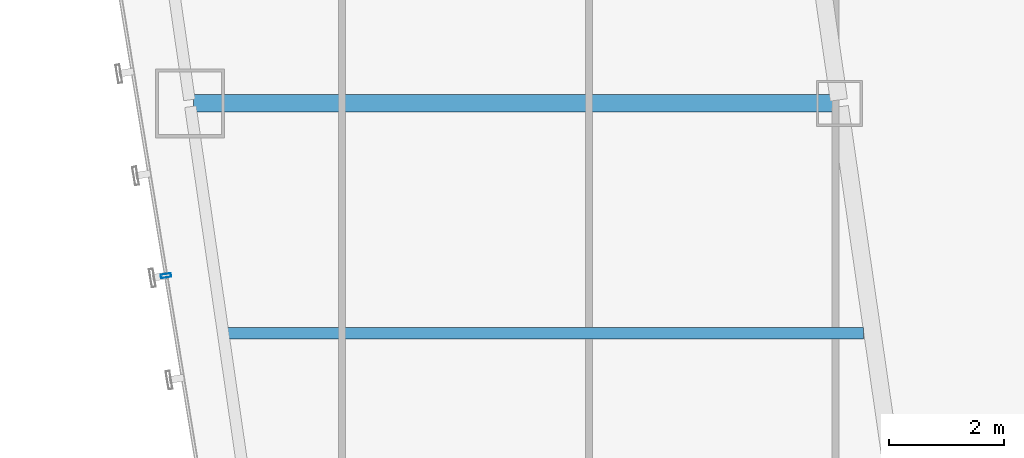
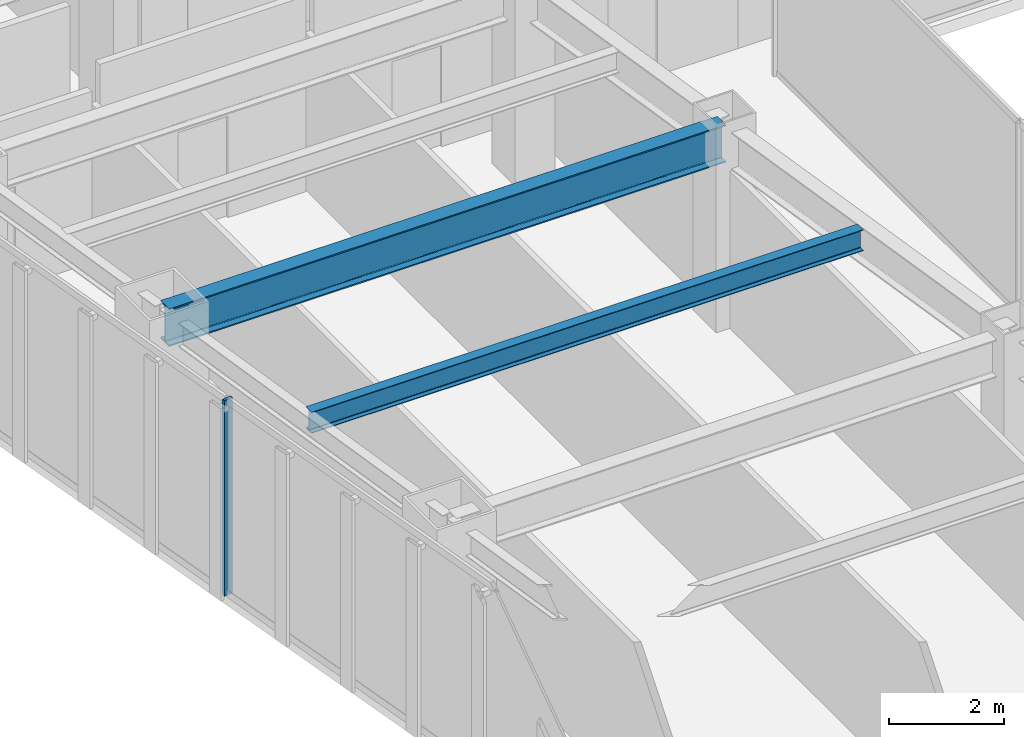
# One storey, part 11 of 47: 2 beams, 1 member, 1 element without a shape of its own.
"""IFC4 building model written with IfcOpenShell, lengths in metres."""

from ifc_helpers import new_model, si_unit, direction, frame, origin, origin_2d, place, context, subcontext, project, spatial, hollow_rectangle, i_section, extrude, material, material_profile, profile_set, type_object, element, aggregate, save


model = new_model("IFC4")

# Units and contexts
model_context = context("Model", 3, precision=1e-05, world=origin(), true_north=direction((0.0, 1.0)))
body_context = subcontext(model_context, "Body", "Model", "MODEL_VIEW")
ifc_project = project(units=[si_unit("LENGTHUNIT", "METRE"), si_unit("AREAUNIT", "SQUARE_METRE"), si_unit("VOLUMEUNIT", "CUBIC_METRE"), si_unit("PLANEANGLEUNIT", "RADIAN"), si_unit("MASSUNIT", "GRAM", prefix="KILO")], contexts=[model_context])

# Site, building, storey
site_placement = place(None, origin())
site = spatial("IfcSite", under=ifc_project, at=site_placement, CompositionType="ELEMENT")
building_placement = place(site_placement, origin())
building = spatial("IfcBuilding", under=site, at=building_placement, Name="Saevonmaru Cultural Tower", CompositionType="ELEMENT")
storey_placement = place(building_placement, frame((0.0, 0.0, 78.0)))
storey = spatial("IfcBuildingStorey", under=building, at=storey_placement, Name="L16", CompositionType="ELEMENT", Elevation=78.0)

# Beams
ifc_material_1 = material(Name="Steel SM420", Category="steel")
ifc_material_profile_1 = material_profile(ifc_material_1, i_section(OverallWidth=0.300048828125, OverallDepth=0.800048828125, WebThickness=0.013916015625, FlangeThickness=0.02587890625, FilletRadius=0.028076171875, at=origin_2d()), Name="H-800x300x14x26")
ifc_profile_set_1 = profile_set([ifc_material_profile_1], Name="Steel SM420")
beam_type_1 = type_object("IfcBeamType", Name="BM-G-H800", PredefinedType="BEAM", material=ifc_profile_set_1)
beam_1_placement = place(storey_placement, frame((8.376953125, 32.0, 3.75), z_axis=(1.0, 0.0, 0.0), x_axis=(0.0, 1.0, 0.0)))
element("IfcBeam", 1, at=beam_1_placement, inside=storey, type_object=beam_type_1, Name="L16 West Wing Transverse Girder 5", PredefinedType="BEAM", context=body_context, shape_type="SweptSolid", body=[
    extrude(i_section(OverallWidth=0.300048828125, OverallDepth=0.800048828125, WebThickness=0.013916015625, FlangeThickness=0.02587890625, FilletRadius=0.028076171875, at=origin_2d()), origin(), (0.0, 0.0, 1.0), 11.179931640625),
])
ifc_material_2 = material(Name="Steel SM355", Category="steel")
ifc_material_profile_2 = material_profile(ifc_material_2, i_section(OverallWidth=0.199951171875, OverallDepth=0.449951171875, WebThickness=0.009033203125, FlangeThickness=0.013916015625, FilletRadius=0.01806640625, at=origin_2d()), Name="H-450x200x9x14")
ifc_profile_set_2 = profile_set([ifc_material_profile_2], Name="Steel SM355")
beam_type_2 = type_object("IfcBeamType", Name="BM-J-H450", PredefinedType="JOIST", material=ifc_profile_set_2)
beam_2_placement = place(storey_placement, frame((8.95458984375, 28.0, 3.925048828125), z_axis=(1.0, 0.0, 0.0), x_axis=(0.0, 1.0, 0.0)))
element("IfcBeam", 2, at=beam_2_placement, inside=storey, type_object=beam_type_2, Name="L16 West Wing Floor Joist 4", PredefinedType="JOIST", context=body_context, shape_type="SweptSolid", body=[
    extrude(i_section(OverallWidth=0.199951171875, OverallDepth=0.449951171875, WebThickness=0.009033203125, FlangeThickness=0.013916015625, FilletRadius=0.01806640625, at=origin_2d()), origin(), (0.0, 0.0, 1.0), 11.08203125),
])

# Curtain wall, member
ifc_material_3 = material(Name="Satin Bronze Anodised Aluminium", Category="aluminium")
curtain_wall_type = type_object("IfcCurtainWallType", Name="CW-TYP-A", PredefinedType="NOTDEFINED", material=ifc_material_3)
curtain_wall_placement = place(storey_placement, origin())
curtain_wall = element("IfcCurtainWall", 3, at=curtain_wall_placement, inside=storey, type_object=curtain_wall_type, Name="L16 Unitised Curtain Wall E12", PredefinedType="NOTDEFINED")
ifc_material_profile_3 = material_profile(ifc_material_3, hollow_rectangle(XDim=0.06494140625, YDim=0.179931640625, WallThickness=0.00390625, at=origin_2d()), Name="ALU-MULL-180x65x4")
ifc_profile_set_3 = profile_set([ifc_material_profile_3], Name="Satin Bronze Anodised Aluminium")
member_type = type_object("IfcMemberType", Name="ML-CW-180x65", PredefinedType="MULLION", material=ifc_profile_set_3)
member_placement = place(storey_placement, frame((7.89990234375, 29.0, 0.0), z_axis=(0.0, 0.0, 1.0), x_axis=(0.161708868641, -0.986838508472, 0.0)))
member = element("IfcMember", 4, at=member_placement, type_object=member_type, Name="CW-TW-L16-E12 mullion 3", PredefinedType="MULLION", context=body_context, shape_type="SweptSolid", body=[
    extrude(hollow_rectangle(XDim=0.06494140625, YDim=0.179931640625, WallThickness=0.00390625, at=origin_2d()), origin(), (0.0, 0.0, 1.0), 4.14990234375),
])
aggregate(curtain_wall, [member])

save(model, "model.ifc")
